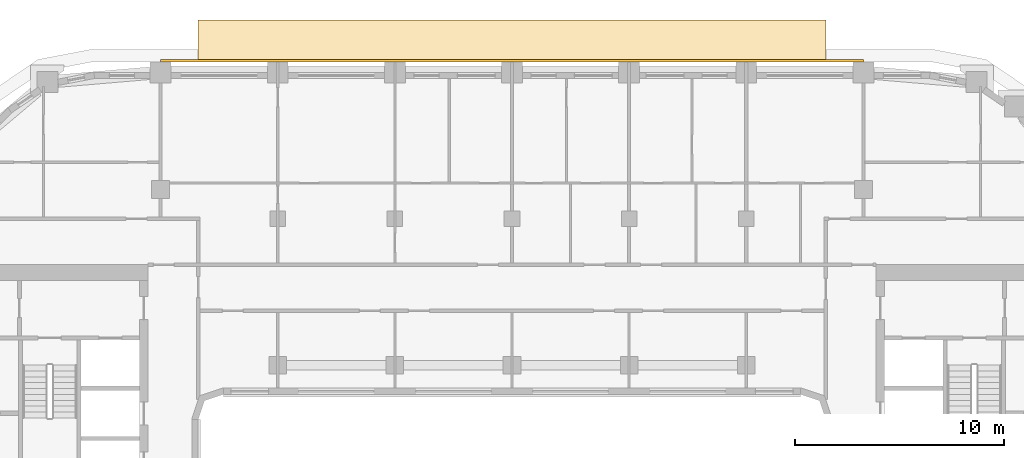
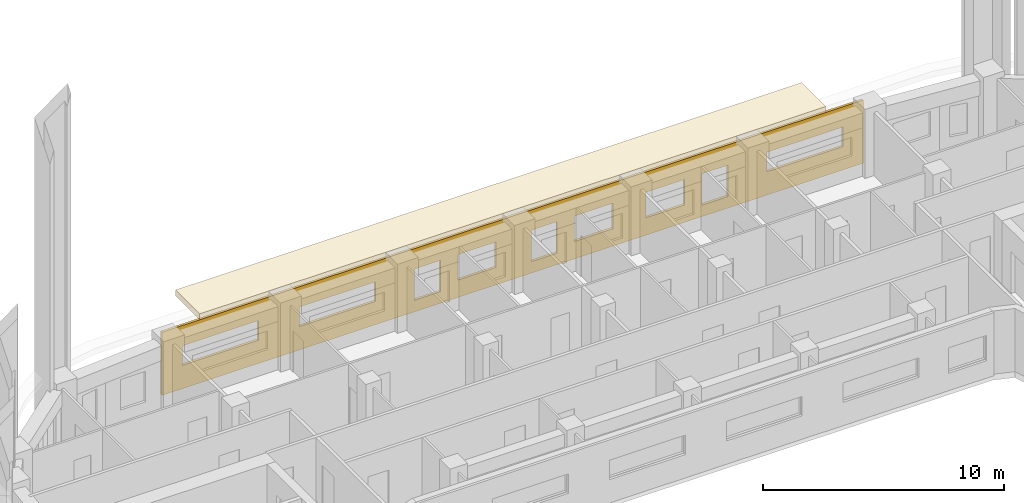
# One storey, part 21 of 22: 2 coverings.
"""IFC4 building model written with IfcOpenShell, lengths in metres."""

from ifc_helpers import new_model, si_unit, direction, frame, origin, place, context, subcontext, project, spatial, polyline, outline, extrude, material, layer, layer_set, type_object, element, save


model = new_model("IFC4")

# Units and contexts
model_context = context("Model", 3, precision=1e-05, world=origin(), true_north=direction((0.0, 1.0)))
body_context = subcontext(model_context, "Body", "Model", "MODEL_VIEW")
ifc_project = project(units=[si_unit("LENGTHUNIT", "METRE"), si_unit("AREAUNIT", "SQUARE_METRE"), si_unit("VOLUMEUNIT", "CUBIC_METRE"), si_unit("PLANEANGLEUNIT", "RADIAN"), si_unit("MASSUNIT", "GRAM", prefix="KILO")], contexts=[model_context])

# Site, building, storey
site_placement = place(None, origin())
site = spatial("IfcSite", under=ifc_project, at=site_placement, CompositionType="ELEMENT")
building_placement = place(site_placement, origin())
building = spatial("IfcBuilding", under=site, at=building_placement, Name="Kiln Ring Residences", CompositionType="ELEMENT")
storey_placement = place(building_placement, frame((0.0, 0.0, 160.60009765625)))
storey = spatial("IfcBuildingStorey", under=building, at=storey_placement, Name="L41", CompositionType="ELEMENT", Elevation=160.60009765625)

# Coverings
ifc_material_1 = material(Name="Brick masonry, dark clay brick", Category="masonry")
ifc_layer_1 = layer(ifc_material_1, 0.1201171875)
ifc_layer_set_1 = layer_set([ifc_layer_1], Name="RAINSCREEN PANEL 120")
covering_type_1 = type_object("IfcCoveringType", Name="RAINSCREEN PANEL 120", PredefinedType="CLADDING", material=ifc_layer_set_1)
covering_1_placement = place(storey_placement, frame((16.800048828125, 22.9599609375, 0.0), z_axis=(0.0, 0.0, 1.0), x_axis=(-1.0, 0.0, 0.0)))
element("IfcCovering", 1, at=covering_1_placement, inside=storey, type_object=covering_type_1, Name="RAINSCREEN L41", PredefinedType="CLADDING", context=body_context, shape_type="SweptSolid", body=[
    extrude(outline(polyline([(0.0, 0.0), (33.60009765625, 0.0), (33.60009765625, 3.199951171875), (0.0, 3.199951171875), (0.0, 0.0)]), holes=[polyline([(6.492431640625, 0.579833984375), (7.732421875, 0.579833984375), (7.732421875, 2.169921875), (6.492431640625, 2.169921875), (6.492431640625, 0.579833984375)]), polyline([(14.66748046875, 0.579833984375), (15.907470703125, 0.579833984375), (15.907470703125, 2.169921875), (14.66748046875, 2.169921875), (14.66748046875, 0.579833984375)]), polyline([(20.267578125, 0.579833984375), (21.507568359375, 0.579833984375), (21.507568359375, 2.169921875), (20.267578125, 2.169921875), (20.267578125, 0.579833984375)]), polyline([(8.5673828125, 0.8798828125), (10.407470703125, 0.8798828125), (10.407470703125, 2.169921875), (8.5673828125, 2.169921875), (8.5673828125, 0.8798828125)]), polyline([(11.992431640625, 0.8798828125), (13.83251953125, 0.8798828125), (13.83251953125, 2.169921875), (11.992431640625, 2.169921875), (11.992431640625, 0.8798828125)]), polyline([(17.592529296875, 0.8798828125), (19.4326171875, 0.8798828125), (19.4326171875, 2.169921875), (17.592529296875, 2.169921875), (17.592529296875, 0.8798828125)]), polyline([(0.97998046875, 1.179931640625), (4.6201171875, 1.179931640625), (4.6201171875, 2.169921875), (0.97998046875, 2.169921875), (0.97998046875, 1.179931640625)]), polyline([(23.3798828125, 2.169921875), (23.3798828125, 1.179931640625), (27.02001953125, 1.179931640625), (27.02001953125, 2.169921875), (23.3798828125, 2.169921875)]), polyline([(28.97998046875, 2.169921875), (28.97998046875, 1.179931640625), (32.6201171875, 1.179931640625), (32.6201171875, 2.169921875), (28.97998046875, 2.169921875)])]), frame((0.0, 0.06005859375, 0.0), z_axis=(0.0, -1.0, 0.0), x_axis=(1.0, 0.0, 0.0)), (0.0, 0.0, 1.0), 0.1201171875),
])
ifc_material_2 = material(Name="Black powder-coated steel", Category="steel")
ifc_layer_2 = layer(ifc_material_2, 0.300048828125)
ifc_layer_set_2 = layer_set([ifc_layer_2], Name="SUNSHADE BAND 2000")
covering_type_2 = type_object("IfcCoveringType", Name="SUNSHADE BAND 2000", PredefinedType="CLADDING", material=ifc_layer_set_2)
covering_2_placement = place(storey_placement, frame((0.0, 0.0, 3.199951171875)))
element("IfcCovering", 2, at=covering_2_placement, inside=storey, type_object=covering_type_2, Name="SUNSHADE BAND L41", PredefinedType="CLADDING", context=body_context, shape_type="SweptSolid", body=[
    extrude(outline(polyline([(15.0, 24.89990234375), (-15.0, 24.89990234375), (-15.0, 22.89990234375), (15.0, 22.89990234375), (15.0, 24.89990234375)])), origin(), (0.0, 0.0, 1.0), 0.300048828125),
])

save(model, "model.ifc")
